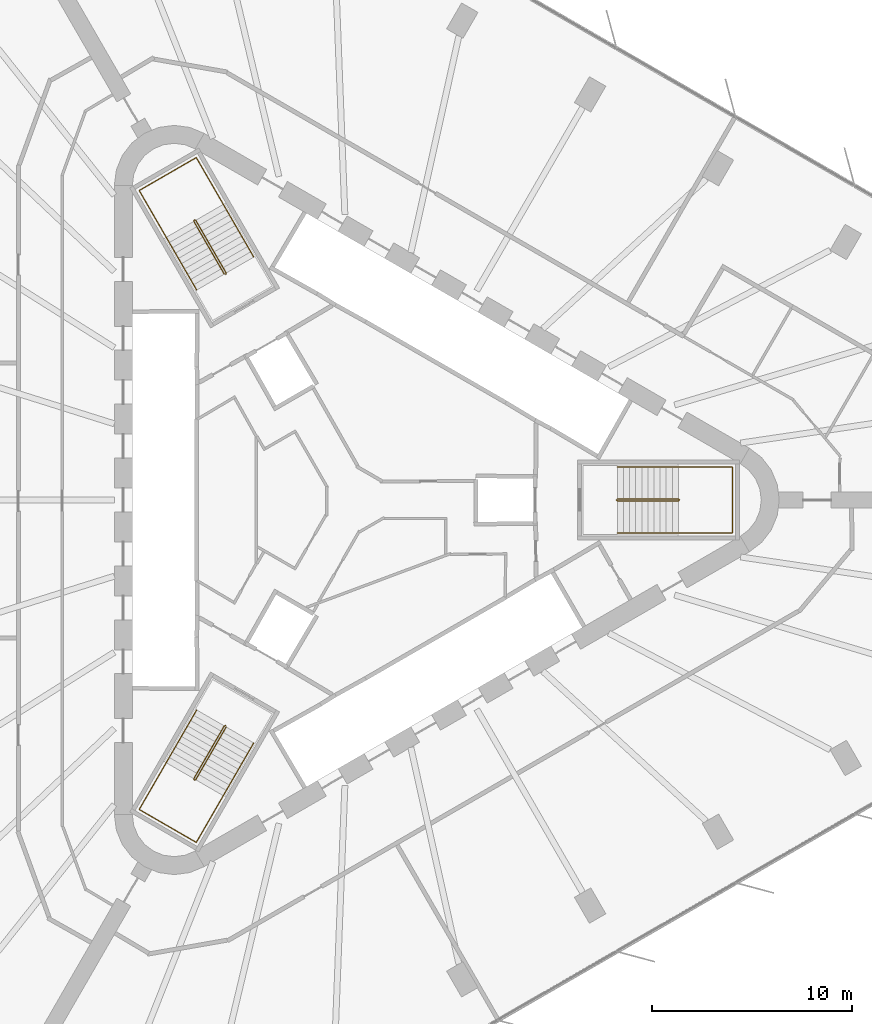
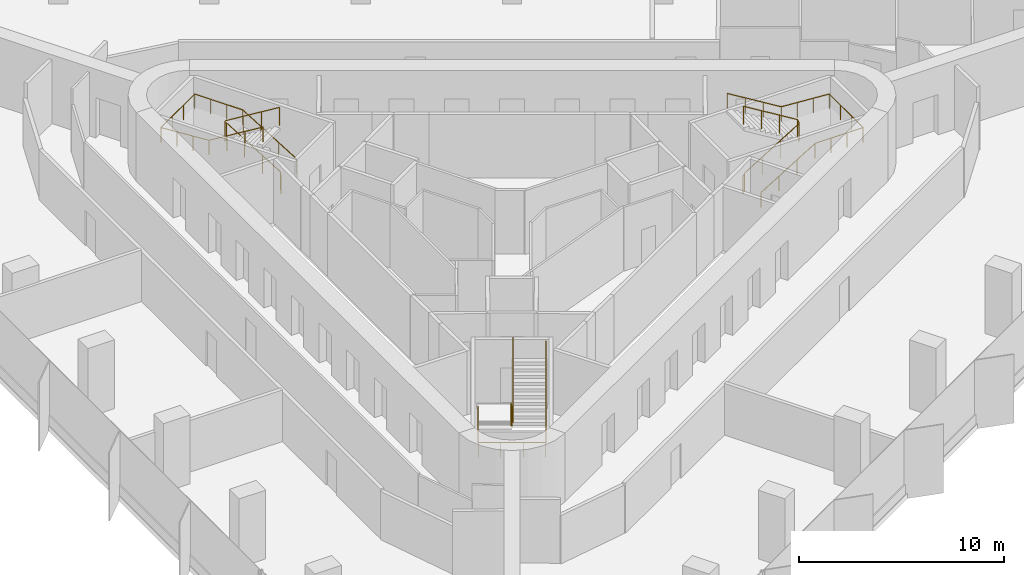
# One storey, part 14 of 14: 6 railings.
"""IFC4 building model written with IfcOpenShell, lengths in metres."""

from ifc_helpers import new_model, si_unit, direction, frame, origin, origin_2d, place, context, subcontext, project, spatial, circle, extrude, material, type_object, element, save


model = new_model("IFC4")

# Units and contexts
model_context = context("Model", 3, precision=1e-05, world=origin(), true_north=direction((0.0, 1.0)))
body_context = subcontext(model_context, "Body", "Model", "MODEL_VIEW")
ifc_project = project(units=[si_unit("LENGTHUNIT", "METRE"), si_unit("AREAUNIT", "SQUARE_METRE"), si_unit("VOLUMEUNIT", "CUBIC_METRE"), si_unit("PLANEANGLEUNIT", "RADIAN"), si_unit("MASSUNIT", "GRAM", prefix="KILO")], contexts=[model_context])

# Site, building, storey
site_placement = place(None, origin())
site = spatial("IfcSite", under=ifc_project, at=site_placement, CompositionType="ELEMENT")
building_placement = place(site_placement, origin())
building = spatial("IfcBuilding", under=site, at=building_placement, Name="Tanit Gate Tower", CompositionType="ELEMENT")
storey_placement = place(building_placement, frame((0.0, 0.0, 53.699951171875)))
storey = spatial("IfcBuildingStorey", under=building, at=storey_placement, Name="L09", CompositionType="ELEMENT", Elevation=53.699951171875)

# Railings
ifc_material_1 = material(Name="Stainless steel balustrade", Category="steel")
railing_type_1 = type_object("IfcRailingType", Name="INT-STAIR-GUARD", PredefinedType="GUARDRAIL", material=ifc_material_1)
railing_1_placement = place(storey_placement, frame((13.044921875, 0.0048828125, 0.0)))
element("IfcRailing", 1, at=railing_1_placement, inside=storey, type_object=railing_type_1, Name="L09 S1 stair guard 1", PredefinedType="GUARDRAIL", context=body_context, shape_type="SweptSolid", body=[
    extrude(circle(Radius=0.02392578125, at=origin_2d()), frame((0.0, 0.0, 1.076171875), z_axis=(0.0, -1.0, 0.0), x_axis=(1.0, 0.0, 0.0)), (0.0, 0.0, 1.0), 0.009765625),
    extrude(circle(Radius=0.02392578125, at=origin_2d()), frame((0.0, -0.009765625, 1.076171875), z_axis=(0.250869701741, -0.250869701741, 0.934948546978), x_axis=(0.707106781187, 0.707106781187, 0.0)), (0.0, 0.0, 1.0), 0.199462890625),
    extrude(circle(Radius=0.02392578125, at=origin_2d()), frame((0.050048828125, -0.059814453125, 1.2626953125), z_axis=(0.853405036568, 0.0, 0.521248351134), x_axis=(0.0, 1.0, 0.0)), (0.0, 0.0, 1.0), 3.5751953125),
    extrude(circle(Radius=0.02392578125, at=origin_2d()), frame((3.10107421875, -0.059814453125, 3.1259765625), z_axis=(0.707106781187, 0.707106781187, 0.0), x_axis=(-0.707106781187, 0.707106781187, 0.0)), (0.0, 0.0, 1.0), 0.07080078125),
    extrude(circle(Radius=0.02392578125, at=origin_2d()), frame((3.151123046875, -0.009765625, 3.1259765625), z_axis=(0.0, 1.0, 0.0), x_axis=(-1.0, 0.0, 0.0)), (0.0, 0.0, 1.0), 0.009765625),
    extrude(circle(Radius=0.02392578125, at=origin_2d()), frame((3.151123046875, 0.0, 3.1259765625), z_axis=(-0.251157038772, 0.251157038772, 0.934794246747), x_axis=(-0.707106781187, -0.707106781187, 0.0)), (0.0, 0.0, 1.0), 0.19921875),
    extrude(circle(Radius=0.02392578125, at=origin_2d()), frame((3.10107421875, 0.050048828125, 3.3125), z_axis=(-0.853374658889, 0.0, 0.521298083217), x_axis=(0.0, -1.0, 0.0)), (0.0, 0.0, 1.0), 3.5751953125),
    extrude(circle(Radius=0.02099609375, at=origin_2d()), origin(), (0.0, 0.0, 1.0), 1.052001953125),
    extrude(circle(Radius=0.02099609375, at=origin_2d()), frame((0.0, -0.009765625, 0.0)), (0.0, 0.0, 1.0), 1.052001953125),
    extrude(circle(Radius=0.02099609375, at=origin_2d()), frame((0.050048828125, -0.059814453125, 0.1865234375)), (0.0, 0.0, 1.0), 1.052001953125),
    extrude(circle(Radius=0.02099609375, at=origin_2d()), frame((1.067138671875, -0.059814453125, 0.8076171875)), (0.0, 0.0, 1.0), 1.052001953125),
    extrude(circle(Radius=0.02099609375, at=origin_2d()), frame((2.083984375, -0.059814453125, 1.428955078125)), (0.0, 0.0, 1.0), 1.052001953125),
    extrude(circle(Radius=0.02099609375, at=origin_2d()), frame((3.10107421875, -0.059814453125, 2.050048828125)), (0.0, 0.0, 1.0), 1.052001953125),
    extrude(circle(Radius=0.02099609375, at=origin_2d()), frame((3.151123046875, -0.009765625, 2.050048828125)), (0.0, 0.0, 1.0), 1.052001953125),
    extrude(circle(Radius=0.02099609375, at=origin_2d()), frame((3.151123046875, 0.0, 2.050048828125)), (0.0, 0.0, 1.0), 1.052001953125),
    extrude(circle(Radius=0.02099609375, at=origin_2d()), frame((3.10107421875, 0.050048828125, 2.236328125)), (0.0, 0.0, 1.0), 1.052001953125),
    extrude(circle(Radius=0.02099609375, at=origin_2d()), frame((2.083984375, 0.050048828125, 2.857666015625)), (0.0, 0.0, 1.0), 1.052001953125),
    extrude(circle(Radius=0.02099609375, at=origin_2d()), frame((1.067138671875, 0.050048828125, 3.478759765625)), (0.0, 0.0, 1.0), 1.052001953125),
    extrude(circle(Radius=0.02099609375, at=origin_2d()), frame((0.050048828125, 0.050048828125, 4.10009765625)), (0.0, 0.0, 1.0), 1.052001953125),
])
railing_2_placement = place(storey_placement, frame((-6.527099609375, 11.29345703125, 0.0)))
element("IfcRailing", 2, at=railing_2_placement, inside=storey, type_object=railing_type_1, Name="L09 S2 stair guard 1", PredefinedType="GUARDRAIL", context=body_context, shape_type="SweptSolid", body=[
    extrude(circle(Radius=0.02392578125, at=origin_2d()), frame((0.0, 0.0, 1.076171875), z_axis=(0.868243142124, 0.496138938357, 0.0), x_axis=(-0.496138938357, 0.868243142124, 0.0)), (0.0, 0.0, 1.0), 0.01171875),
    extrude(circle(Radius=0.02392578125, at=origin_2d()), frame((0.01025390625, 0.005859375, 1.076171875), z_axis=(0.09178331637, 0.342657714447, 0.934966049419), x_axis=(-0.965948051503, 0.258736085224, 0.0)), (0.0, 0.0, 1.0), 0.199462890625),
    extrude(circle(Radius=0.02392578125, at=origin_2d()), frame((0.028564453125, 0.07421875, 1.2626953125), z_axis=(-0.426651696395, 0.73893750972, 0.521478366466), x_axis=(-0.866012246495, -0.500022788402, 0.0)), (0.0, 0.0, 1.0), 3.573486328125),
    extrude(circle(Radius=0.02392578125, at=origin_2d()), frame((-1.49609375, 2.71484375, 3.1259765625), z_axis=(-0.965715946433, 0.259601060869, 0.0), x_axis=(-0.259601060869, -0.965715946433, 0.0)), (0.0, 0.0, 1.0), 0.070556640625),
    extrude(circle(Radius=0.02392578125, at=origin_2d()), frame((-1.564208984375, 2.733154296875, 3.1259765625), z_axis=(-0.873197702015, -0.487366159264, 0.0), x_axis=(0.487366159264, -0.873197702015, 0.0)), (0.0, 0.0, 1.0), 0.011962890625),
    extrude(circle(Radius=0.02392578125, at=origin_2d()), frame((-1.57470703125, 2.727294921875, 3.1259765625), z_axis=(-0.091888445584, -0.343050196848, 0.93481178641), x_axis=(0.965948051503, -0.258736085224, 0.0)), (0.0, 0.0, 1.0), 0.19921875),
    extrude(circle(Radius=0.02392578125, at=origin_2d()), frame((-1.593017578125, 2.658935546875, 3.3125), z_axis=(0.426636495959, -0.738911183393, 0.521528104107), x_axis=(0.866012246495, 0.500022788402, 0.0)), (0.0, 0.0, 1.0), 3.57373046875),
    extrude(circle(Radius=0.02099609375, at=origin_2d()), origin(), (0.0, 0.0, 1.0), 1.052001953125),
    extrude(circle(Radius=0.02099609375, at=origin_2d()), frame((0.01025390625, 0.005859375, 0.0)), (0.0, 0.0, 1.0), 1.052001953125),
    extrude(circle(Radius=0.02099609375, at=origin_2d()), frame((0.028564453125, 0.07421875, 0.1865234375)), (0.0, 0.0, 1.0), 1.052001953125),
    extrude(circle(Radius=0.02099609375, at=origin_2d()), frame((-0.479736328125, 0.954345703125, 0.8076171875)), (0.0, 0.0, 1.0), 1.052001953125),
    extrude(circle(Radius=0.02099609375, at=origin_2d()), frame((-0.98779296875, 1.834716796875, 1.428955078125)), (0.0, 0.0, 1.0), 1.052001953125),
    extrude(circle(Radius=0.02099609375, at=origin_2d()), frame((-1.49609375, 2.71484375, 2.050048828125)), (0.0, 0.0, 1.0), 1.052001953125),
    extrude(circle(Radius=0.02099609375, at=origin_2d()), frame((-1.564208984375, 2.733154296875, 2.050048828125)), (0.0, 0.0, 1.0), 1.052001953125),
    extrude(circle(Radius=0.02099609375, at=origin_2d()), frame((-1.57470703125, 2.727294921875, 2.050048828125)), (0.0, 0.0, 1.0), 1.052001953125),
    extrude(circle(Radius=0.02099609375, at=origin_2d()), frame((-1.593017578125, 2.658935546875, 2.236328125)), (0.0, 0.0, 1.0), 1.052001953125),
    extrude(circle(Radius=0.02099609375, at=origin_2d()), frame((-1.084716796875, 1.77880859375, 2.857666015625)), (0.0, 0.0, 1.0), 1.052001953125),
    extrude(circle(Radius=0.02099609375, at=origin_2d()), frame((-0.57666015625, 0.8984375, 3.478759765625)), (0.0, 0.0, 1.0), 1.052001953125),
    extrude(circle(Radius=0.02099609375, at=origin_2d()), frame((-0.068359375, 0.018310546875, 4.10009765625)), (0.0, 0.0, 1.0), 1.052001953125),
])
railing_3_placement = place(storey_placement, frame((-6.51806640625, -11.2998046875, 0.0)))
element("IfcRailing", 3, at=railing_3_placement, inside=storey, type_object=railing_type_1, Name="L09 S3 stair guard 1", PredefinedType="GUARDRAIL", context=body_context, shape_type="SweptSolid", body=[
    extrude(circle(Radius=0.02392578125, at=origin_2d()), frame((0.0, 0.0, 1.076171875), z_axis=(-0.874157276122, 0.485642931179, 0.0), x_axis=(-0.485642931179, -0.874157276122, 0.0)), (0.0, 0.0, 1.0), 0.010009765625),
    extrude(circle(Radius=0.02392578125, at=origin_2d()), frame((-0.0087890625, 0.0048828125, 1.076171875), z_axis=(-0.342695952383, -0.090569644558, 0.935070384359), x_axis=(0.255512919477, -0.966805641264, 0.0)), (0.0, 0.0, 1.0), 0.199462890625),
    extrude(circle(Radius=0.02392578125, at=origin_2d()), frame((-0.0771484375, -0.01318359375, 1.2626953125), z_axis=(-0.426668548982, -0.73908990167, 0.521248565042), x_axis=(0.866048339477, -0.499960272111, 0.0)), (0.0, 0.0, 1.0), 3.5751953125),
    extrude(circle(Radius=0.02392578125, at=origin_2d()), frame((-1.6025390625, -2.655517578125, 3.1259765625), z_axis=(0.258736085224, -0.965948051503, 0.0), x_axis=(0.965948051503, 0.258736085224, 0.0)), (0.0, 0.0, 1.0), 0.07080078125),
    extrude(circle(Radius=0.02392578125, at=origin_2d()), frame((-1.584228515625, -2.723876953125, 3.1259765625), z_axis=(0.868243142124, -0.496138938357, 0.0), x_axis=(0.496138938357, 0.868243142124, 0.0)), (0.0, 0.0, 1.0), 0.009765625),
    extrude(circle(Radius=0.02392578125, at=origin_2d()), frame((-1.57568359375, -2.728759765625, 3.1259765625), z_axis=(0.343050196848, 0.091888445584, 0.93481178641), x_axis=(-0.258736085224, 0.965948051503, 0.0)), (0.0, 0.0, 1.0), 0.19921875),
    extrude(circle(Radius=0.02392578125, at=origin_2d()), frame((-1.50732421875, -2.71044921875, 3.3125), z_axis=(0.42673074944, 0.739011069041, 0.521309416102), x_axis=(-0.865993683553, 0.500054937028, 0.0)), (0.0, 0.0, 1.0), 3.5751953125),
    extrude(circle(Radius=0.02099609375, at=origin_2d()), origin(), (0.0, 0.0, 1.0), 1.052001953125),
    extrude(circle(Radius=0.02099609375, at=origin_2d()), frame((-0.0087890625, 0.0048828125, 0.0)), (0.0, 0.0, 1.0), 1.052001953125),
    extrude(circle(Radius=0.02099609375, at=origin_2d()), frame((-0.0771484375, -0.01318359375, 0.1865234375)), (0.0, 0.0, 1.0), 1.052001953125),
    extrude(circle(Radius=0.02099609375, at=origin_2d()), frame((-0.585693359375, -0.89404296875, 0.8076171875)), (0.0, 0.0, 1.0), 1.052001953125),
    extrude(circle(Radius=0.02099609375, at=origin_2d()), frame((-1.093994140625, -1.774658203125, 1.428955078125)), (0.0, 0.0, 1.0), 1.052001953125),
    extrude(circle(Radius=0.02099609375, at=origin_2d()), frame((-1.6025390625, -2.655517578125, 2.050048828125)), (0.0, 0.0, 1.0), 1.052001953125),
    extrude(circle(Radius=0.02099609375, at=origin_2d()), frame((-1.584228515625, -2.723876953125, 2.050048828125)), (0.0, 0.0, 1.0), 1.052001953125),
    extrude(circle(Radius=0.02099609375, at=origin_2d()), frame((-1.57568359375, -2.728759765625, 2.050048828125)), (0.0, 0.0, 1.0), 1.052001953125),
    extrude(circle(Radius=0.02099609375, at=origin_2d()), frame((-1.50732421875, -2.71044921875, 2.236328125)), (0.0, 0.0, 1.0), 1.052001953125),
    extrude(circle(Radius=0.02099609375, at=origin_2d()), frame((-0.998779296875, -1.829833984375, 2.857666015625)), (0.0, 0.0, 1.0), 1.052001953125),
    extrude(circle(Radius=0.02099609375, at=origin_2d()), frame((-0.490234375, -0.948974609375, 3.478759765625)), (0.0, 0.0, 1.0), 1.052001953125),
    extrude(circle(Radius=0.02099609375, at=origin_2d()), frame((0.018310546875, -0.068359375, 4.10009765625)), (0.0, 0.0, 1.0), 1.052001953125),
])
ifc_material_2 = material(Name="Stainless steel handrail", Category="steel")
railing_type_2 = type_object("IfcRailingType", Name="INT-STAIR-HANDRAIL", PredefinedType="HANDRAIL", material=ifc_material_2)
railing_4_placement = place(storey_placement, frame((13.094970703125, -1.64990234375, 0.1865234375)))
element("IfcRailing", 4, at=railing_4_placement, inside=storey, type_object=railing_type_2, Name="L09 S1 stair handrail 1", PredefinedType="HANDRAIL", context=body_context, shape_type="SweptSolid", body=[
    extrude(circle(Radius=0.02392578125, at=origin_2d()), frame((0.0, 0.0, 0.8759765625), z_axis=(0.853405036568, 0.0, 0.521248351134), x_axis=(0.0, 1.0, 0.0)), (0.0, 0.0, 1.0), 3.5751953125),
    extrude(circle(Radius=0.02392578125, at=origin_2d()), frame((3.051025390625, 0.0, 2.7392578125), z_axis=(1.0, 0.0, 0.0), x_axis=(0.0, 1.0, 0.0)), (0.0, 0.0, 1.0), 2.7041015625),
    extrude(circle(Radius=0.02392578125, at=origin_2d()), frame((5.755126953125, 0.0, 2.7392578125), z_axis=(0.0, 1.0, 0.0), x_axis=(-1.0, 0.0, 0.0)), (0.0, 0.0, 1.0), 3.2998046875),
    extrude(circle(Radius=0.02392578125, at=origin_2d()), frame((5.755126953125, 3.2998046875, 2.7392578125), z_axis=(-0.997635655124, 0.0, 0.06872481084), x_axis=(0.0, -1.0, 0.0)), (0.0, 0.0, 1.0), 2.71044921875),
    extrude(circle(Radius=0.02392578125, at=origin_2d()), frame((3.051025390625, 3.2998046875, 2.92578125), z_axis=(-0.853374658889, 0.0, 0.521298083217), x_axis=(0.0, -1.0, 0.0)), (0.0, 0.0, 1.0), 3.5751953125),
    extrude(circle(Radius=0.02099609375, at=origin_2d()), origin(), (0.0, 0.0, 1.0), 0.851806640625),
    extrude(circle(Radius=0.02099609375, at=origin_2d()), frame((1.01708984375, 0.0, 0.62109375)), (0.0, 0.0, 1.0), 0.851806640625),
    extrude(circle(Radius=0.02099609375, at=origin_2d()), frame((2.033935546875, 0.0, 1.242431640625)), (0.0, 0.0, 1.0), 0.851806640625),
    extrude(circle(Radius=0.02099609375, at=origin_2d()), frame((3.051025390625, 0.0, 1.863525390625)), (0.0, 0.0, 1.0), 0.851806640625),
    extrude(circle(Radius=0.02099609375, at=origin_2d()), frame((3.952392578125, 0.0, 1.863525390625)), (0.0, 0.0, 1.0), 0.851806640625),
    extrude(circle(Radius=0.02099609375, at=origin_2d()), frame((4.853759765625, 0.0, 1.863525390625)), (0.0, 0.0, 1.0), 0.851806640625),
    extrude(circle(Radius=0.02099609375, at=origin_2d()), frame((5.755126953125, 0.0, 1.863525390625)), (0.0, 0.0, 1.0), 0.851806640625),
    extrude(circle(Radius=0.02099609375, at=origin_2d()), frame((5.755126953125, 1.099853515625, 1.863525390625)), (0.0, 0.0, 1.0), 0.851806640625),
    extrude(circle(Radius=0.02099609375, at=origin_2d()), frame((5.755126953125, 2.199951171875, 1.863525390625)), (0.0, 0.0, 1.0), 0.851806640625),
    extrude(circle(Radius=0.02099609375, at=origin_2d()), frame((5.755126953125, 3.2998046875, 1.863525390625)), (0.0, 0.0, 1.0), 0.851806640625),
    extrude(circle(Radius=0.02099609375, at=origin_2d()), frame((4.853759765625, 3.2998046875, 1.925537109375)), (0.0, 0.0, 1.0), 0.851806640625),
    extrude(circle(Radius=0.02099609375, at=origin_2d()), frame((3.952392578125, 3.2998046875, 1.98779296875)), (0.0, 0.0, 1.0), 0.851806640625),
    extrude(circle(Radius=0.02099609375, at=origin_2d()), frame((3.051025390625, 3.2998046875, 2.0498046875)), (0.0, 0.0, 1.0), 0.851806640625),
    extrude(circle(Radius=0.02099609375, at=origin_2d()), frame((2.033935546875, 3.2998046875, 2.671142578125)), (0.0, 0.0, 1.0), 0.851806640625),
    extrude(circle(Radius=0.02099609375, at=origin_2d()), frame((1.01708984375, 3.2998046875, 3.292236328125)), (0.0, 0.0, 1.0), 0.851806640625),
    extrude(circle(Radius=0.02099609375, at=origin_2d()), frame((0.0, 3.2998046875, 3.91357421875)), (0.0, 0.0, 1.0), 0.851806640625),
])
railing_5_placement = place(storey_placement, frame((-5.1181640625, 12.164794921875, 0.1865234375)))
element("IfcRailing", 5, at=railing_5_placement, inside=storey, type_object=railing_type_2, Name="L09 S2 stair handrail 1", PredefinedType="HANDRAIL", context=body_context, shape_type="SweptSolid", body=[
    extrude(circle(Radius=0.02392578125, at=origin_2d()), frame((0.0, 0.0, 0.8759765625), z_axis=(-0.426595811233, 0.738959047773, 0.521493566166), x_axis=(-0.866046917185, -0.499962735845, 0.0)), (0.0, 0.0, 1.0), 3.573486328125),
    extrude(circle(Radius=0.02392578125, at=origin_2d()), frame((-1.5244140625, 2.640625, 2.7392578125), z_axis=(-0.500019123664, 0.86601436245, 0.0), x_axis=(-0.86601436245, -0.500019123664, 0.0)), (0.0, 0.0, 1.0), 2.70703125),
    extrude(circle(Radius=0.02392578125, at=origin_2d()), frame((-2.8779296875, 4.98486328125, 2.7392578125), z_axis=(-0.866008176907, -0.50002983664, 0.0), x_axis=(0.50002983664, -0.866008176907, 0.0)), (0.0, 0.0, 1.0), 3.300048828125),
    extrude(circle(Radius=0.02392578125, at=origin_2d()), frame((-5.73583984375, 3.334716796875, 2.7392578125), z_axis=(0.498878146149, -0.863948246966, 0.06865873476), x_axis=(0.865991810323, 0.500058181068, 0.0)), (0.0, 0.0, 1.0), 2.713134765625),
    extrude(circle(Radius=0.02392578125, at=origin_2d()), frame((-4.38232421875, 0.99072265625, 2.92578125), z_axis=(0.42661496006, -0.738942197433, 0.521501778238), x_axis=(0.866032263162, 0.499988119021, 0.0)), (0.0, 0.0, 1.0), 3.57373046875),
    extrude(circle(Radius=0.02099609375, at=origin_2d()), origin(), (0.0, 0.0, 1.0), 0.851806640625),
    extrude(circle(Radius=0.02099609375, at=origin_2d()), frame((-0.508056640625, 0.880126953125, 0.62109375)), (0.0, 0.0, 1.0), 0.851806640625),
    extrude(circle(Radius=0.02099609375, at=origin_2d()), frame((-1.016357421875, 1.760498046875, 1.242431640625)), (0.0, 0.0, 1.0), 0.851806640625),
    extrude(circle(Radius=0.02099609375, at=origin_2d()), frame((-1.5244140625, 2.640625, 1.863525390625)), (0.0, 0.0, 1.0), 0.851806640625),
    extrude(circle(Radius=0.02099609375, at=origin_2d()), frame((-1.9755859375, 3.422119140625, 1.863525390625)), (0.0, 0.0, 1.0), 0.851806640625),
    extrude(circle(Radius=0.02099609375, at=origin_2d()), frame((-2.4267578125, 4.203369140625, 1.863525390625)), (0.0, 0.0, 1.0), 0.851806640625),
    extrude(circle(Radius=0.02099609375, at=origin_2d()), frame((-2.8779296875, 4.98486328125, 1.863525390625)), (0.0, 0.0, 1.0), 0.851806640625),
    extrude(circle(Radius=0.02099609375, at=origin_2d()), frame((-3.83056640625, 4.434814453125, 1.863525390625)), (0.0, 0.0, 1.0), 0.851806640625),
    extrude(circle(Radius=0.02099609375, at=origin_2d()), frame((-4.783203125, 3.884765625, 1.863525390625)), (0.0, 0.0, 1.0), 0.851806640625),
    extrude(circle(Radius=0.02099609375, at=origin_2d()), frame((-5.73583984375, 3.334716796875, 1.863525390625)), (0.0, 0.0, 1.0), 0.851806640625),
    extrude(circle(Radius=0.02099609375, at=origin_2d()), frame((-5.28466796875, 2.553466796875, 1.925537109375)), (0.0, 0.0, 1.0), 0.851806640625),
    extrude(circle(Radius=0.02099609375, at=origin_2d()), frame((-4.83349609375, 1.77197265625, 1.98779296875)), (0.0, 0.0, 1.0), 0.851806640625),
    extrude(circle(Radius=0.02099609375, at=origin_2d()), frame((-4.38232421875, 0.99072265625, 2.0498046875)), (0.0, 0.0, 1.0), 0.851806640625),
    extrude(circle(Radius=0.02099609375, at=origin_2d()), frame((-3.8740234375, 0.1103515625, 2.671142578125)), (0.0, 0.0, 1.0), 0.851806640625),
    extrude(circle(Radius=0.02099609375, at=origin_2d()), frame((-3.365966796875, -0.769775390625, 3.292236328125)), (0.0, 0.0, 1.0), 0.851806640625),
    extrude(circle(Radius=0.02099609375, at=origin_2d()), frame((-2.857666015625, -1.650146484375, 3.91357421875)), (0.0, 0.0, 1.0), 0.851806640625),
])
railing_6_placement = place(storey_placement, frame((-7.9765625, -10.515625, 0.1865234375)))
element("IfcRailing", 6, at=railing_6_placement, inside=storey, type_object=railing_type_2, Name="L09 S3 stair handrail 1", PredefinedType="HANDRAIL", context=body_context, shape_type="SweptSolid", body=[
    extrude(circle(Radius=0.02392578125, at=origin_2d()), frame((0.0, 0.0, 0.8759765625), z_axis=(-0.426668548982, -0.73908990167, 0.521248565042), x_axis=(0.866048339477, -0.499960272111, 0.0)), (0.0, 0.0, 1.0), 3.5751953125),
    extrude(circle(Radius=0.02392578125, at=origin_2d()), frame((-1.525390625, -2.642333984375, 2.7392578125), z_axis=(-0.50004290449, -0.866000631449, 0.0), x_axis=(0.866000631449, -0.50004290449, 0.0)), (0.0, 0.0, 1.0), 2.703857421875),
    extrude(circle(Radius=0.02392578125, at=origin_2d()), frame((-2.87744140625, -4.98388671875, 2.7392578125), z_axis=(0.866008176907, -0.50002983664, 0.0), x_axis=(0.50002983664, 0.866008176907, 0.0)), (0.0, 0.0, 1.0), 3.300048828125),
    extrude(circle(Radius=0.02392578125, at=origin_2d()), frame((-0.01953125, -6.634033203125, 2.7392578125), z_axis=(0.498821607388, 0.86397559734, 0.068725331607), x_axis=(-0.866023205937, 0.500003806764, 0.0)), (0.0, 0.0, 1.0), 2.71044921875),
    extrude(circle(Radius=0.02392578125, at=origin_2d()), frame((1.33251953125, -4.292236328125, 2.92578125), z_axis=(0.42665336134, 0.739063593114, 0.52129829713), x_axis=(-0.866048339477, 0.499960272111, 0.0)), (0.0, 0.0, 1.0), 3.5751953125),
    extrude(circle(Radius=0.02099609375, at=origin_2d()), origin(), (0.0, 0.0, 1.0), 0.851806640625),
    extrude(circle(Radius=0.02099609375, at=origin_2d()), frame((-0.508544921875, -0.880859375, 0.62109375)), (0.0, 0.0, 1.0), 0.851806640625),
    extrude(circle(Radius=0.02099609375, at=origin_2d()), frame((-1.016845703125, -1.761474609375, 1.242431640625)), (0.0, 0.0, 1.0), 0.851806640625),
    extrude(circle(Radius=0.02099609375, at=origin_2d()), frame((-1.525390625, -2.642333984375, 1.863525390625)), (0.0, 0.0, 1.0), 0.851806640625),
    extrude(circle(Radius=0.02099609375, at=origin_2d()), frame((-1.97607421875, -3.4228515625, 1.863525390625)), (0.0, 0.0, 1.0), 0.851806640625),
    extrude(circle(Radius=0.02099609375, at=origin_2d()), frame((-2.4267578125, -4.203369140625, 1.863525390625)), (0.0, 0.0, 1.0), 0.851806640625),
    extrude(circle(Radius=0.02099609375, at=origin_2d()), frame((-2.87744140625, -4.98388671875, 1.863525390625)), (0.0, 0.0, 1.0), 0.851806640625),
    extrude(circle(Radius=0.02099609375, at=origin_2d()), frame((-1.9248046875, -5.533935546875, 1.863525390625)), (0.0, 0.0, 1.0), 0.851806640625),
    extrude(circle(Radius=0.02099609375, at=origin_2d()), frame((-0.97216796875, -6.083984375, 1.863525390625)), (0.0, 0.0, 1.0), 0.851806640625),
    extrude(circle(Radius=0.02099609375, at=origin_2d()), frame((-0.01953125, -6.634033203125, 1.863525390625)), (0.0, 0.0, 1.0), 0.851806640625),
    extrude(circle(Radius=0.02099609375, at=origin_2d()), frame((0.43115234375, -5.853515625, 1.925537109375)), (0.0, 0.0, 1.0), 0.851806640625),
    extrude(circle(Radius=0.02099609375, at=origin_2d()), frame((0.8818359375, -5.07275390625, 1.98779296875)), (0.0, 0.0, 1.0), 0.851806640625),
    extrude(circle(Radius=0.02099609375, at=origin_2d()), frame((1.33251953125, -4.292236328125, 2.0498046875)), (0.0, 0.0, 1.0), 0.851806640625),
    extrude(circle(Radius=0.02099609375, at=origin_2d()), frame((1.841064453125, -3.411376953125, 2.671142578125)), (0.0, 0.0, 1.0), 0.851806640625),
    extrude(circle(Radius=0.02099609375, at=origin_2d()), frame((2.349365234375, -2.53076171875, 3.292236328125)), (0.0, 0.0, 1.0), 0.851806640625),
    extrude(circle(Radius=0.02099609375, at=origin_2d()), frame((2.85791015625, -1.64990234375, 3.91357421875)), (0.0, 0.0, 1.0), 0.851806640625),
])

save(model, "model.ifc")
